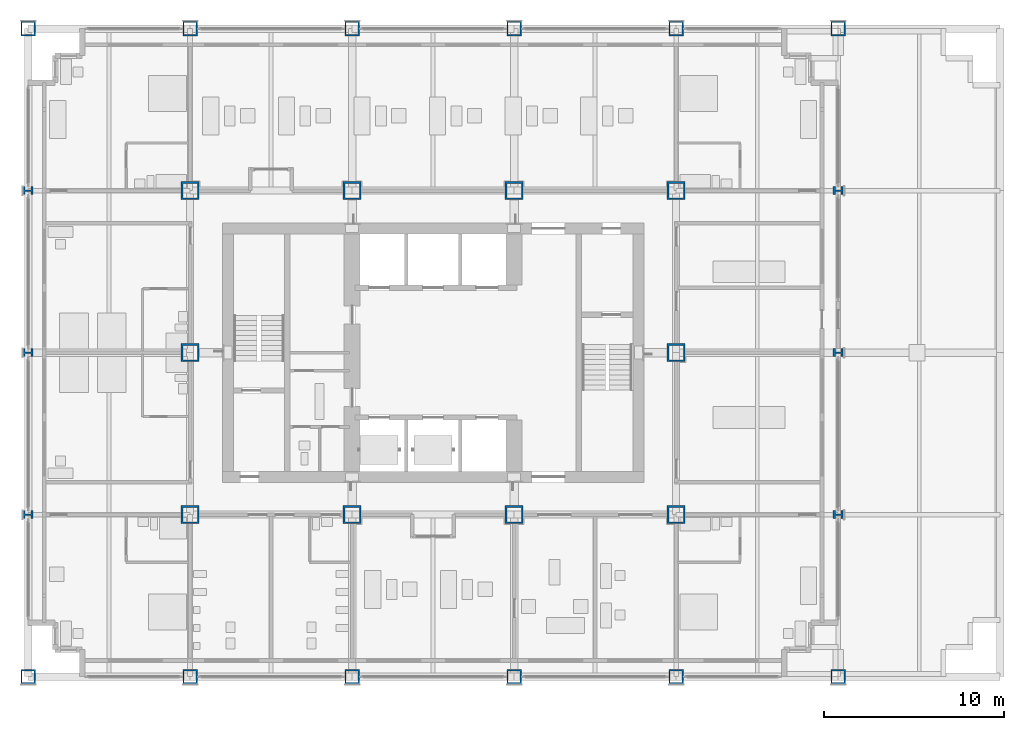
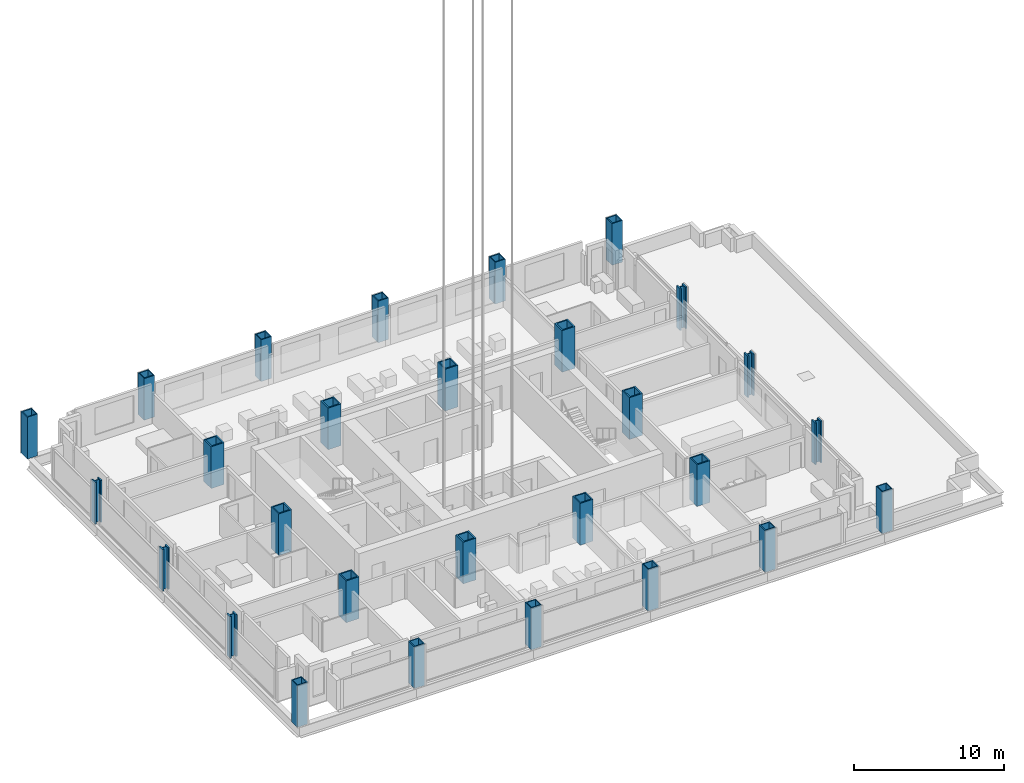
# One storey, part 1 of 19: 28 columns.
"""IFC4 building model written with IfcOpenShell, lengths in metres."""

from ifc_helpers import new_model, si_unit, direction, frame, origin, origin_2d, place, context, subcontext, project, spatial, hollow_rectangle, i_section, extrude, material, material_profile, profile_set, type_object, element, save


model = new_model("IFC4")

# Units and contexts
model_context = context("Model", 3, precision=1e-05, world=origin(), true_north=direction((0.0, 1.0)))
body_context = subcontext(model_context, "Body", "Model", "MODEL_VIEW")
ifc_project = project(units=[si_unit("LENGTHUNIT", "METRE"), si_unit("AREAUNIT", "SQUARE_METRE"), si_unit("VOLUMEUNIT", "CUBIC_METRE"), si_unit("PLANEANGLEUNIT", "RADIAN"), si_unit("MASSUNIT", "GRAM", prefix="KILO")], contexts=[model_context])

# Site, building, storey
site_placement = place(None, origin())
site = spatial("IfcSite", under=ifc_project, at=site_placement, CompositionType="ELEMENT")
building_placement = place(site_placement, origin())
building = spatial("IfcBuilding", under=site, at=building_placement, Name="Loomwork Tower", CompositionType="ELEMENT")
storey_placement = place(building_placement, frame((0.0, 0.0, 94.199951171875)))
storey = spatial("IfcBuildingStorey", under=building, at=storey_placement, Name="L24", CompositionType="ELEMENT", Elevation=94.199951171875)

# Columns
ifc_material_1 = material(Name="Steel ASTM A572 Grade 50 plate", Category="steel")
ifc_material_profile_1 = material_profile(ifc_material_1, hollow_rectangle(XDim=0.800048828125, YDim=0.800048828125, WallThickness=0.070068359375, at=origin_2d()), Name="BOX800x70")
ifc_profile_set_1 = profile_set([ifc_material_profile_1], Name="Steel ASTM A572 Grade 50 plate")
column_type_1 = type_object("IfcColumnType", Name="EXOSKELETON PIER BOX800x70", PredefinedType="COLUMN", material=ifc_profile_set_1)
for number, where, z_axis, x_axis, name in (
    (1, (0.0, 0.0, 0.0), (0.0, 0.0, 1.0), (1.0, 0.0, 0.0), "Exoskeleton Pier D/2 L24"),
    (2, (0.0, 36.0, 0.0), (0.0, 0.0, 1.0), (1.0, 0.0, 0.0), "Exoskeleton Pier H/2 L24"),
    (3, (9.0, 0.0, 0.0), (0.0, 0.0, 1.0), (1.0, 0.0, 0.0), "Exoskeleton Pier D/3 L24"),
    (4, (9.0, 36.0, 0.0), (0.0, 0.0, 1.0), (1.0, 0.0, 0.0), "Exoskeleton Pier H/3 L24"),
    (5, (18.0, 0.0, 0.0), (0.0, 0.0, 1.0), (1.0, 0.0, 0.0), "Exoskeleton Pier D/4 L24"),
    (6, (18.0, 36.0, 0.0), (0.0, 0.0, 1.0), (1.0, 0.0, 0.0), "Exoskeleton Pier H/4 L24"),
    (7, (27.0, 0.0, 0.0), (0.0, 0.0, 1.0), (1.0, 0.0, 0.0), "Exoskeleton Pier D/5 L24"),
    (8, (27.0, 36.0, 0.0), (0.0, 0.0, 1.0), (1.0, 0.0, 0.0), "Exoskeleton Pier H/5 L24"),
    (9, (36.0, 0.0, 0.0), (0.0, 0.0, 1.0), (1.0, 0.0, 0.0), "Exoskeleton Pier D/6 L24"),
    (10, (36.0, 36.0, 0.0), (0.0, 0.0, 1.0), (1.0, 0.0, 0.0), "Exoskeleton Pier H/6 L24"),
    (11, (45.0, 0.0, 0.0), (0.0, 0.0, 1.0), (1.0, 0.0, 0.0), "Exoskeleton Pier D/7 L24"),
    (12, (45.0, 36.0, 0.0), (0.0, 0.0, 1.0), (1.0, 0.0, 0.0), "Exoskeleton Pier H/7 L24"),
):
    element("IfcColumn", number, at=place(storey_placement, frame(where, z_axis=z_axis, x_axis=x_axis)), inside=storey, type_object=column_type_1, Name=name, PredefinedType="COLUMN", context=body_context, shape_type="SweptSolid", body=[
        extrude(hollow_rectangle(XDim=0.800048828125, YDim=0.800048828125, WallThickness=0.070068359375, at=origin_2d()), origin(), (0.0, 0.0, 1.0), 3.400146484375),
    ])
ifc_material_2 = material(Name="Steel ASTM A992", Category="steel")
ifc_material_profile_2 = material_profile(ifc_material_2, i_section(OverallWidth=0.449462890625, OverallDepth=0.548583984375, WebThickness=0.07177734375, FlangeThickness=0.11474609375, at=origin_2d()), Name="W14x665")
ifc_profile_set_2 = profile_set([ifc_material_profile_2], Name="Steel ASTM A992")
column_type_2 = type_object("IfcColumnType", Name="EXOSKELETON PIER W14x665", PredefinedType="COLUMN", material=ifc_profile_set_2)
for number, where, z_axis, x_axis, name in (
    (13, (0.0, 9.0, 0.0), (0.0, 0.0, 1.0), (0.0, 1.0, 0.0), "Exoskeleton Pier E/2 L24"),
    (14, (0.0, 18.0, 0.0), (0.0, 0.0, 1.0), (0.0, 1.0, 0.0), "Exoskeleton Pier F/2 L24"),
    (15, (0.0, 27.0, 0.0), (0.0, 0.0, 1.0), (0.0, 1.0, 0.0), "Exoskeleton Pier G/2 L24"),
    (16, (45.0, 9.0, 0.0), (0.0, 0.0, 1.0), (0.0, 1.0, 0.0), "Exoskeleton Pier E/7 L24"),
    (17, (45.0, 18.0, 0.0), (0.0, 0.0, 1.0), (0.0, 1.0, 0.0), "Exoskeleton Pier F/7 L24"),
    (18, (45.0, 27.0, 0.0), (0.0, 0.0, 1.0), (0.0, 1.0, 0.0), "Exoskeleton Pier G/7 L24"),
):
    element("IfcColumn", number, at=place(storey_placement, frame(where, z_axis=z_axis, x_axis=x_axis)), inside=storey, type_object=column_type_2, Name=name, PredefinedType="COLUMN", context=body_context, shape_type="SweptSolid", body=[
        extrude(i_section(OverallWidth=0.449462890625, OverallDepth=0.548583984375, WebThickness=0.07177734375, FlangeThickness=0.11474609375, at=origin_2d()), origin(), (0.0, 0.0, 1.0), 3.400146484375),
    ])
ifc_material_3 = material(Name="Steel ASTM A572 Grade 50 plate", Category="steel")
ifc_material_profile_3 = material_profile(ifc_material_3, hollow_rectangle(XDim=1.0, YDim=1.0, WallThickness=0.10009765625, at=origin_2d()), Name="BOX1000x100")
ifc_profile_set_3 = profile_set([ifc_material_profile_3], Name="Steel ASTM A572 Grade 50 plate")
column_type_3 = type_object("IfcColumnType", Name="TOWER COLUMN BOX1000x100", PredefinedType="COLUMN", material=ifc_profile_set_3)
for number, where, z_axis, x_axis, name in (
    (19, (9.0, 9.0, 0.0), (0.0, 0.0, 1.0), (1.0, 0.0, 0.0), "Tower Column E/3 L24"),
    (20, (9.0, 18.0, 0.0), (0.0, 0.0, 1.0), (1.0, 0.0, 0.0), "Tower Column F/3 L24"),
    (21, (9.0, 27.0, 0.0), (0.0, 0.0, 1.0), (1.0, 0.0, 0.0), "Tower Column G/3 L24"),
    (22, (18.0, 9.0, 0.0), (0.0, 0.0, 1.0), (1.0, 0.0, 0.0), "Tower Column E/4 L24"),
    (23, (18.0, 27.0, 0.0), (0.0, 0.0, 1.0), (1.0, 0.0, 0.0), "Tower Column G/4 L24"),
    (24, (27.0, 9.0, 0.0), (0.0, 0.0, 1.0), (1.0, 0.0, 0.0), "Tower Column E/5 L24"),
    (25, (27.0, 27.0, 0.0), (0.0, 0.0, 1.0), (1.0, 0.0, 0.0), "Tower Column G/5 L24"),
    (26, (36.0, 9.0, 0.0), (0.0, 0.0, 1.0), (0.0, 1.0, 0.0), "Tower Column E/6 L24"),
    (27, (36.0, 18.0, 0.0), (0.0, 0.0, 1.0), (0.0, 1.0, 0.0), "Tower Column F/6 L24"),
    (28, (36.0, 27.0, 0.0), (0.0, 0.0, 1.0), (1.0, 0.0, 0.0), "Tower Column G/6 L24"),
):
    element("IfcColumn", number, at=place(storey_placement, frame(where, z_axis=z_axis, x_axis=x_axis)), inside=storey, type_object=column_type_3, Name=name, PredefinedType="COLUMN", context=body_context, shape_type="SweptSolid", body=[
        extrude(hollow_rectangle(XDim=1.0, YDim=1.0, WallThickness=0.10009765625, at=origin_2d()), origin(), (0.0, 0.0, 1.0), 3.400146484375),
    ])

save(model, "model.ifc")
